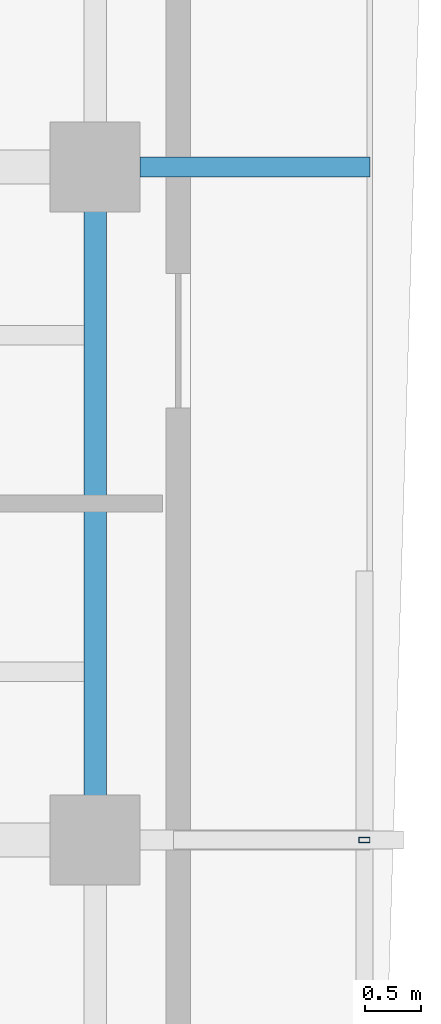
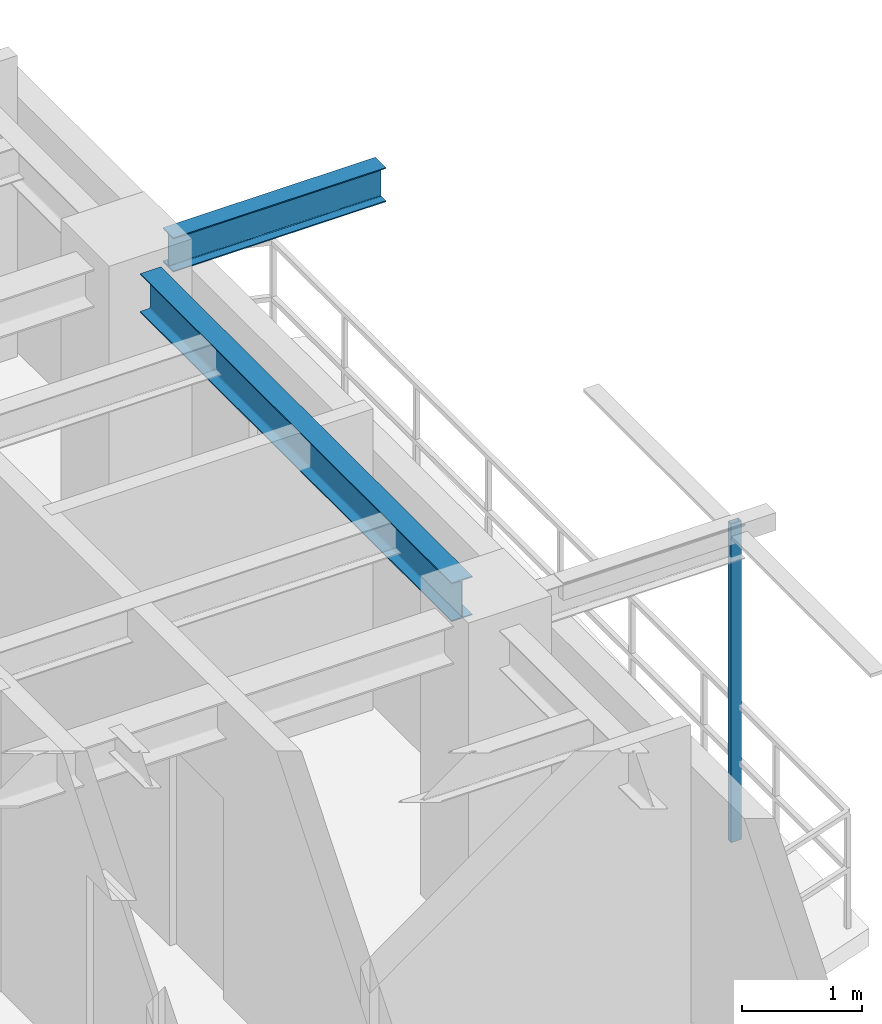
# One storey, part 7 of 16: 2 beams, 1 member.
"""IFC4 building model written with IfcOpenShell, lengths in metres."""

from ifc_helpers import new_model, si_unit, direction, frame, origin, origin_2d, place, context, subcontext, project, spatial, hollow_rectangle, i_section, extrude, source, transform, mapped, material, material_profile, profile_set, type_object, element, save


model = new_model("IFC4")

# Units and contexts
model_context = context("Model", 3, precision=1e-05, world=origin(), true_north=direction((0.0, 1.0)))
body_context = subcontext(model_context, "Body", "Model", "MODEL_VIEW")
ifc_project = project(units=[si_unit("LENGTHUNIT", "METRE"), si_unit("AREAUNIT", "SQUARE_METRE"), si_unit("VOLUMEUNIT", "CUBIC_METRE"), si_unit("PLANEANGLEUNIT", "RADIAN"), si_unit("MASSUNIT", "GRAM", prefix="KILO"), si_unit("THERMODYNAMICTEMPERATUREUNIT", "KELVIN"), si_unit("POWERUNIT", "WATT")], contexts=[model_context])

# Site, building, storey
site_placement = place(None, origin())
site = spatial("IfcSite", under=ifc_project, at=site_placement, CompositionType="ELEMENT")
building_placement = place(site_placement, origin())
building = spatial("IfcBuilding", under=site, at=building_placement, Name="Qiaomeng Ring Towers", CompositionType="ELEMENT")
storey_placement = place(building_placement, frame((0.0, 0.0, 216.5)))
storey = spatial("IfcBuildingStorey", under=building, at=storey_placement, Name="L63", CompositionType="ELEMENT", Elevation=216.5)

# Beams
ifc_material_1 = material(Name="Steel Q355B", Category="steel")
ifc_material_profile_1 = material_profile(ifc_material_1, i_section(OverallWidth=0.198974609375, OverallDepth=0.39599609375, WebThickness=0.007080078125, FlangeThickness=0.010986328125, FilletRadius=0.01611328125, at=origin_2d()), Name="HN 396x199x7x11")
ifc_profile_set_1 = profile_set([ifc_material_profile_1], Name="Steel Q355B")
beam_type_1 = type_object("IfcBeamType", Name="STR-BM-HN396", PredefinedType="SPANDREL", material=ifc_profile_set_1)
shared_shape_1 = source(origin(), body_context, "Body", "SweptSolid", [
    extrude(i_section(OverallWidth=0.198974609375, OverallDepth=0.39599609375, WebThickness=0.007080078125, FlangeThickness=0.010986328125, FilletRadius=0.01611328125, at=origin_2d()), origin(), (0.0, 0.0, 1.0), 5.2021484375),
])
beam_1_placement = place(storey_placement, frame((34.949951171875, 20.39892578125, 2.8720703125), z_axis=(0.0, 1.0, 0.0), x_axis=(-1.0, 0.0, 0.0)))
element("IfcBeam", 1, at=beam_1_placement, inside=storey, type_object=beam_type_1, Name="L63 beam STR-SP-L63-T1-E2-E3", PredefinedType="SPANDREL", context=body_context, shape_type="MappedRepresentation", body=[
    mapped(shared_shape_1, transform((0.0, 0.0, 0.0), x_axis=(1.0, 0.0, 0.0), y_axis=(0.0, 1.0, 0.0), z_axis=(0.0, 0.0, 1.0), scale=1.0)),
])
ifc_material_profile_2 = material_profile(ifc_material_1, i_section(OverallWidth=0.175048828125, OverallDepth=0.35009765625, WebThickness=0.007080078125, FlangeThickness=0.010986328125, FilletRadius=0.013916015625, at=origin_2d()), Name="HN 350x175x7x11")
ifc_profile_set_2 = profile_set([ifc_material_profile_2], Name="Steel Q355B")
beam_type_2 = type_object("IfcBeamType", Name="STR-BM-HN350", PredefinedType="JOIST", material=ifc_profile_set_2)
shared_shape_2 = source(origin(), body_context, "Body", "SweptSolid", [
    extrude(i_section(OverallWidth=0.175048828125, OverallDepth=0.35009765625, WebThickness=0.007080078125, FlangeThickness=0.010986328125, FilletRadius=0.013916015625, at=origin_2d()), origin(), (0.0, 0.0, 1.0), 2.05078125),
])
beam_2_placement = place(storey_placement, frame((35.34912109375, 26.0, 2.89501953125), z_axis=(1.0, 0.0, 0.0), x_axis=(0.0, 1.0, 0.0)))
element("IfcBeam", 2, at=beam_2_placement, inside=storey, type_object=beam_type_2, Name="L63 beam STR-BALBM-L63-E3", PredefinedType="JOIST", context=body_context, shape_type="MappedRepresentation", body=[
    mapped(shared_shape_2, transform((0.0, 0.0, 0.0), x_axis=(1.0, 0.0, 0.0), y_axis=(0.0, 1.0, 0.0), z_axis=(0.0, 0.0, 1.0), scale=1.0)),
])

# Member
ifc_material_2 = material(Name="Stainless steel 316", Category="steel")
ifc_material_profile_3 = material_profile(ifc_material_2, hollow_rectangle(XDim=0.050048828125, YDim=0.10009765625, WallThickness=0.00390625, at=origin_2d()), Name="SS TRELLIS 100x50")
ifc_profile_set_3 = profile_set([ifc_material_profile_3], Name="Stainless steel 316")
member_type = type_object("IfcMemberType", Name="ARC-TR-POST2", PredefinedType="STUD", material=ifc_profile_set_3)
shared_shape_3 = source(origin(), body_context, "Body", "SweptSolid", [
    extrude(hollow_rectangle(XDim=0.050048828125, YDim=0.10009765625, WallThickness=0.00390625, at=origin_2d()), origin(), (0.0, 0.0, 1.0), 3.25),
])
member_placement = place(storey_placement, frame((37.35009765625, 20.0, -0.179931640625), z_axis=(0.0, 0.0, 1.0), x_axis=(0.0, 1.0, 0.0)))
element("IfcMember", 3, at=member_placement, inside=storey, type_object=member_type, Name="L63 Outer Ventilated Trellis Post E", PredefinedType="STUD", context=body_context, shape_type="MappedRepresentation", body=[
    mapped(shared_shape_3, transform((0.0, 0.0, 0.0), x_axis=(1.0, 0.0, 0.0), y_axis=(0.0, 1.0, 0.0), z_axis=(0.0, 0.0, 1.0), scale=1.0)),
])

save(model, "model.ifc")
